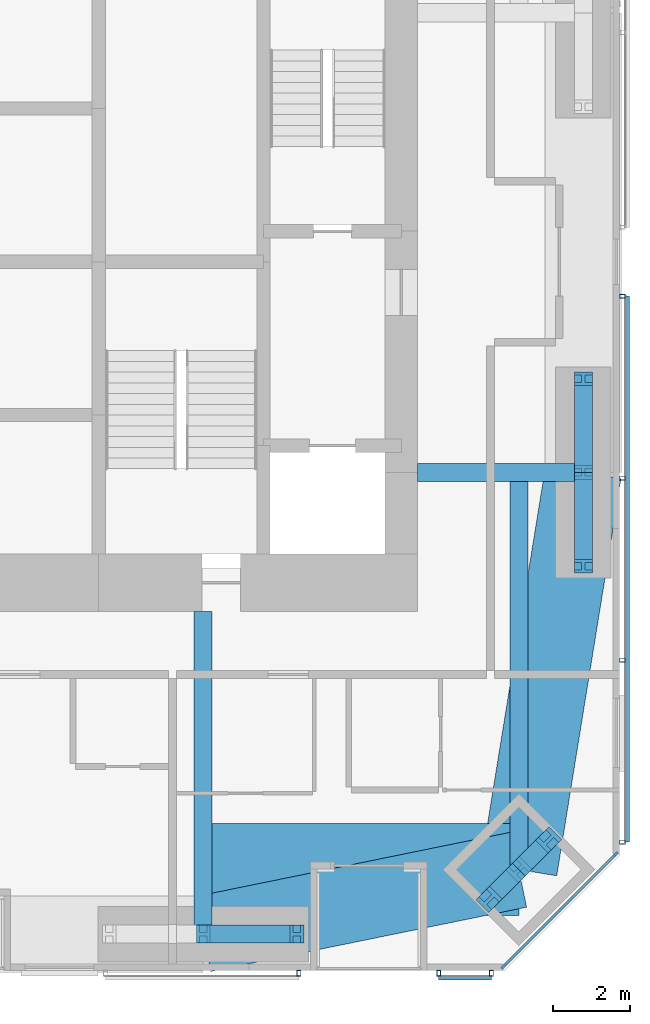
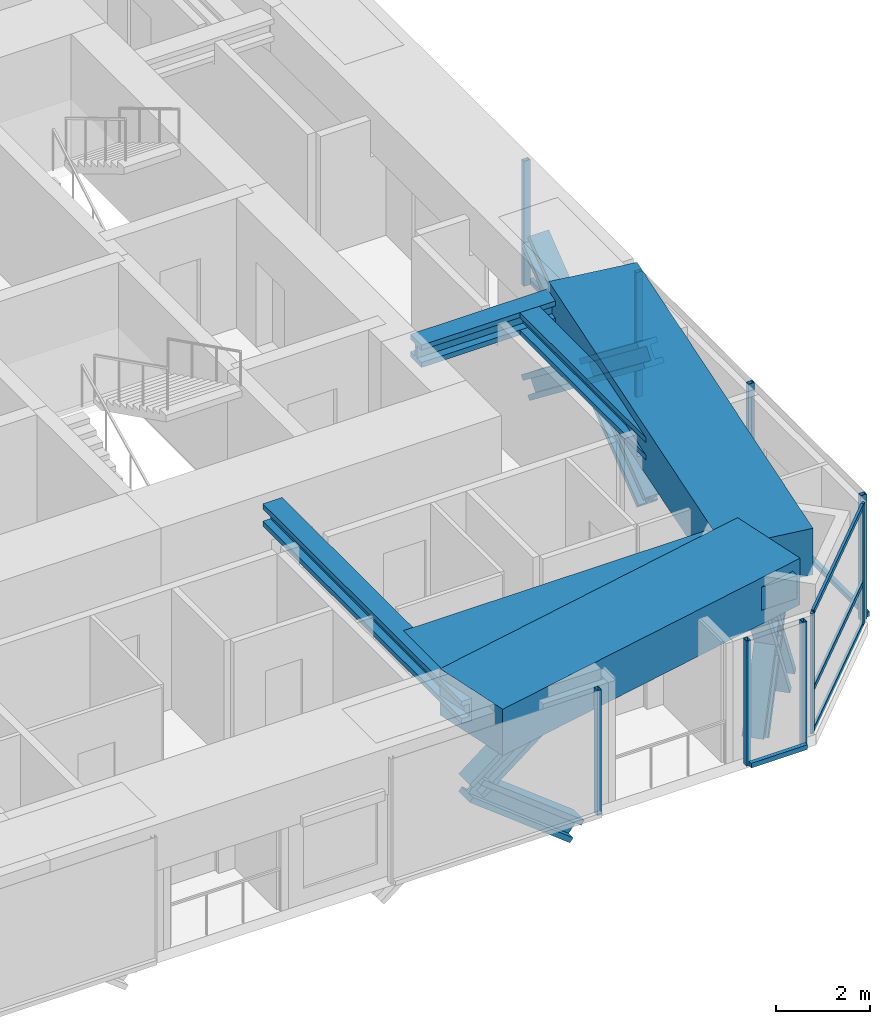
# One storey, part 8 of 23: 24 members, 6 beams, 4 elements without a shape of their own.
"""IFC4 building model written with IfcOpenShell, lengths in metres."""

from ifc_helpers import new_model, si_unit, direction, frame, origin, origin_2d, place, context, subcontext, project, spatial, rectangle, hollow_rectangle, i_section, extrude, material, material_profile, profile_set, type_object, element, aggregate, save


model = new_model("IFC4")

# Units and contexts
model_context = context("Model", 3, precision=1e-05, world=origin(), true_north=direction((0.0, 1.0)))
body_context = subcontext(model_context, "Body", "Model", "MODEL_VIEW")
ifc_project = project(units=[si_unit("LENGTHUNIT", "METRE"), si_unit("AREAUNIT", "SQUARE_METRE"), si_unit("VOLUMEUNIT", "CUBIC_METRE"), si_unit("PLANEANGLEUNIT", "RADIAN"), si_unit("MASSUNIT", "GRAM", prefix="KILO")], contexts=[model_context])

# Site, building, storey
site_placement = place(None, origin())
site = spatial("IfcSite", under=ifc_project, at=site_placement, CompositionType="ELEMENT")
building_placement = place(site_placement, origin())
building = spatial("IfcBuilding", under=site, at=building_placement, Name="Jalousie Tower", CompositionType="ELEMENT")
storey_placement = place(building_placement, frame((0.0, 0.0, 84.75)))
storey = spatial("IfcBuildingStorey", under=building, at=storey_placement, Name="L22", CompositionType="ELEMENT", Elevation=84.75)

# Curtain wall, members
ifc_material_1 = material(Name="Aluminium curtain wall", Category="aluminium")
curtain_wall_type_1 = type_object("IfcCurtainWallType", Name="CORNER WINDOW WALL", PredefinedType="USERDEFINED", material=ifc_material_1)
curtain_wall_1_placement = place(storey_placement, origin())
curtain_wall_1 = element("IfcCurtainWall", 1, at=curtain_wall_1_placement, inside=storey, type_object=curtain_wall_type_1, Name="Corner Window Wall L22 2", ObjectType="CORNER WINDOW WALL", PredefinedType="USERDEFINED")
ifc_material_2 = material(Name="Aluminium mullion", Category="aluminium")
ifc_material_profile_1 = material_profile(ifc_material_2, rectangle(XDim=0.06005859375, YDim=0.14990234375, at=origin_2d()), Name="MULLION 60x150")
ifc_profile_set_1 = profile_set([ifc_material_profile_1], Name="Aluminium mullion")
member_type_1 = type_object("IfcMemberType", Name="CORNER WINDOW WALL MULLION", PredefinedType="MULLION", material=ifc_profile_set_1)
member_1_placement = place(storey_placement, frame((46.469970703125, 0.108642578125, 0.0), z_axis=(0.0, 0.0, 1.0), x_axis=(-0.707106781187, 0.707106781187, 0.0)))
member_1 = element("IfcMember", 2, at=member_1_placement, type_object=member_type_1, Name="CW-C mullion 1", PredefinedType="MULLION", context=body_context, shape_type="SweptSolid", body=[
    extrude(rectangle(XDim=0.06005859375, YDim=0.14990234375, at=origin_2d()), origin(), (0.0, 0.0, 1.0), 3.110107421875),
])
member_2_placement = place(storey_placement, frame((49.391357421875, 3.030029296875, 0.0), z_axis=(0.0, 0.0, 1.0), x_axis=(-0.707106781187, 0.707106781187, 0.0)))
member_2 = element("IfcMember", 3, at=member_2_placement, type_object=member_type_1, Name="CW-C mullion 2", PredefinedType="MULLION", context=body_context, shape_type="SweptSolid", body=[
    extrude(rectangle(XDim=0.06005859375, YDim=0.14990234375, at=origin_2d()), origin(), (0.0, 0.0, 1.0), 3.110107421875),
])
ifc_material_3 = material(Name="Aluminium transom", Category="aluminium")
ifc_material_profile_2 = material_profile(ifc_material_3, rectangle(XDim=0.06005859375, YDim=0.1201171875, at=origin_2d()), Name="TRANSOM 60x120")
ifc_profile_set_2 = profile_set([ifc_material_profile_2], Name="Aluminium transom")
member_type_2 = type_object("IfcMemberType", Name="CORNER WINDOW WALL TRANSOM", PredefinedType="USERDEFINED", material=ifc_profile_set_2)
member_3_placement = place(storey_placement, frame((46.4912109375, 0.1298828125, 0.030029296875), z_axis=(0.707106781187, 0.707106781187, 0.0), x_axis=(-0.707106781187, 0.707106781187, 0.0)))
member_3 = element("IfcMember", 4, at=member_3_placement, type_object=member_type_2, Name="CW-C transom 1.1", ObjectType="TRANSOM", PredefinedType="USERDEFINED", context=body_context, shape_type="SweptSolid", body=[
    extrude(rectangle(XDim=0.06005859375, YDim=0.1201171875, at=origin_2d()), origin(), (0.0, 0.0, 1.0), 4.0712890625),
])
member_4_placement = place(storey_placement, frame((46.4912109375, 0.1298828125, 1.10009765625), z_axis=(0.707106781187, 0.707106781187, 0.0), x_axis=(-0.707106781187, 0.707106781187, 0.0)))
member_4 = element("IfcMember", 5, at=member_4_placement, type_object=member_type_2, Name="CW-C transom 1.2", ObjectType="TRANSOM", PredefinedType="USERDEFINED", context=body_context, shape_type="SweptSolid", body=[
    extrude(rectangle(XDim=0.06005859375, YDim=0.1201171875, at=origin_2d()), origin(), (0.0, 0.0, 1.0), 4.0712890625),
])
member_5_placement = place(storey_placement, frame((46.4912109375, 0.1298828125, 3.080078125), z_axis=(0.707106781187, 0.707106781187, 0.0), x_axis=(-0.707106781187, 0.707106781187, 0.0)))
member_5 = element("IfcMember", 6, at=member_5_placement, type_object=member_type_2, Name="CW-C transom 1.3", ObjectType="TRANSOM", PredefinedType="USERDEFINED", context=body_context, shape_type="SweptSolid", body=[
    extrude(rectangle(XDim=0.06005859375, YDim=0.1201171875, at=origin_2d()), origin(), (0.0, 0.0, 1.0), 4.0712890625),
])
aggregate(curtain_wall_1, [member_1, member_2, member_3, member_4, member_5])

# Beams
ifc_material_4 = material(Name="Steel ASTM A992 Grade 50", Category="steel")
ifc_material_profile_3 = material_profile(ifc_material_4, i_section(OverallWidth=0.472412109375, OverallDepth=0.5791015625, WebThickness=0.094970703125, FlangeThickness=0.1298828125, at=origin_2d()), Name="W14X808")
ifc_profile_set_3 = profile_set([ifc_material_profile_3], Name="Steel ASTM A992 Grade 50")
beam_type_1 = type_object("IfcBeamType", Name="LEAN COLLECTOR W14X808", PredefinedType="BEAM", material=ifc_profile_set_3)
beam_1_placement = place(storey_placement, frame((38.625, 0.949951171875, 2.8203125), z_axis=(0.0, 1.0, 0.0), x_axis=(-1.0, 0.0, 0.0)))
element("IfcBeam", 7, at=beam_1_placement, inside=storey, type_object=beam_type_1, Name="Lean collector under L23", PredefinedType="BEAM", context=body_context, shape_type="SweptSolid", body=[
    extrude(i_section(OverallWidth=0.472412109375, OverallDepth=0.5791015625, WebThickness=0.094970703125, FlangeThickness=0.1298828125, at=origin_2d()), origin(), (0.0, 0.0, 1.0), 8.425048828125),
])
beam_2_placement = place(storey_placement, frame((48.550048828125, 13.0, 2.8203125), z_axis=(-1.0, 0.0, 0.0), x_axis=(0.0, -1.0, 0.0)))
element("IfcBeam", 8, at=beam_2_placement, inside=storey, type_object=beam_type_1, Name="Lean collector under L23", PredefinedType="BEAM", context=body_context, shape_type="SweptSolid", body=[
    extrude(i_section(OverallWidth=0.472412109375, OverallDepth=0.5791015625, WebThickness=0.094970703125, FlangeThickness=0.1298828125, at=origin_2d()), origin(), (0.0, 0.0, 1.0), 4.324951171875),
])
beam_3_placement = place(storey_placement, frame((46.86865234375, 2.63134765625, 2.8203125), z_axis=(0.0, 1.0, 0.0), x_axis=(-1.0, 0.0, 0.0)))
element("IfcBeam", 9, at=beam_3_placement, inside=storey, type_object=beam_type_1, Name="Lean collector under L23", PredefinedType="BEAM", context=body_context, shape_type="SweptSolid", body=[
    extrude(i_section(OverallWidth=0.472412109375, OverallDepth=0.5791015625, WebThickness=0.094970703125, FlangeThickness=0.1298828125, at=origin_2d()), origin(), (0.0, 0.0, 1.0), 10.36865234375),
])

# Members
ifc_material_5 = material(Name="Steel ASTM A992 Grade 50", Category="steel")
ifc_material_profile_4 = material_profile(ifc_material_5, i_section(OverallWidth=0.472412109375, OverallDepth=0.5791015625, WebThickness=0.094970703125, FlangeThickness=0.1298828125, at=origin_2d()), Name="W14X808")
ifc_profile_set_4 = profile_set([ifc_material_profile_4], Name="Steel ASTM A992 Grade 50")
member_type_3 = type_object("IfcMemberType", Name="PERIMETER BRACE W14X808", PredefinedType="BRACE", material=ifc_profile_set_4)
for number, where, z_axis, x_axis, name in (
    (10, (38.625, 0.949951171875, 0.85009765625), (0.790229140184, 0.0, 0.612811476723), (0.0, 1.0, 0.0), "Perimeter brace 04 L22 part 2"),
    (11, (41.074951171875, 0.949951171875, -1.050048828125), (-0.790191006211, 0.0, 0.612860647866), (0.0, -1.0, 0.0), "Perimeter brace 04 L22 part 3"),
):
    element("IfcMember", number, at=place(storey_placement, frame(where, z_axis=z_axis, x_axis=x_axis)), inside=storey, type_object=member_type_3, Name=name, PredefinedType="BRACE", context=body_context, shape_type="SweptSolid", body=[
        extrude(i_section(OverallWidth=0.472412109375, OverallDepth=0.5791015625, WebThickness=0.094970703125, FlangeThickness=0.1298828125, at=origin_2d()), origin(), (0.0, 0.0, 1.0), 3.100341796875),
    ])
member_6_placement = place(storey_placement, frame((46.0908203125, 1.853515625, -1.050048828125), z_axis=(0.354270659018, 0.354270659018, 0.865438963947), x_axis=(-0.707106781187, 0.707106781187, 0.0)))
element("IfcMember", 12, at=member_6_placement, inside=storey, type_object=member_type_3, Name="Perimeter brace 05 L22 part 1", PredefinedType="BRACE", context=body_context, shape_type="SweptSolid", body=[
    extrude(i_section(OverallWidth=0.472412109375, OverallDepth=0.5791015625, WebThickness=0.094970703125, FlangeThickness=0.1298828125, at=origin_2d()), origin(), (0.0, 0.0, 1.0), 2.195556640625),
])
member_7_placement = place(storey_placement, frame((46.86865234375, 2.63134765625, 0.85009765625), z_axis=(0.354304754421, 0.354304754421, 0.865411047993), x_axis=(-0.707106781187, 0.707106781187, 0.0)))
element("IfcMember", 13, at=member_7_placement, inside=storey, type_object=member_type_3, Name="Perimeter brace 05 L22 part 2", PredefinedType="BRACE", context=body_context, shape_type="SweptSolid", body=[
    extrude(i_section(OverallWidth=0.472412109375, OverallDepth=0.5791015625, WebThickness=0.094970703125, FlangeThickness=0.1298828125, at=origin_2d()), origin(), (0.0, 0.0, 1.0), 2.1953125),
])
member_8_placement = place(storey_placement, frame((47.646484375, 3.4091796875, -1.050048828125), z_axis=(-0.354270659018, -0.354270659018, 0.865438963947), x_axis=(0.707106781187, -0.707106781187, 0.0)))
element("IfcMember", 14, at=member_8_placement, inside=storey, type_object=member_type_3, Name="Perimeter brace 05 L22 part 3", PredefinedType="BRACE", context=body_context, shape_type="SweptSolid", body=[
    extrude(i_section(OverallWidth=0.472412109375, OverallDepth=0.5791015625, WebThickness=0.094970703125, FlangeThickness=0.1298828125, at=origin_2d()), origin(), (0.0, 0.0, 1.0), 2.195556640625),
])
member_9_placement = place(storey_placement, frame((46.86865234375, 2.63134765625, 0.85009765625), z_axis=(-0.354304754421, -0.354304754421, 0.865411047993), x_axis=(0.707106781187, -0.707106781187, 0.0)))
element("IfcMember", 15, at=member_9_placement, inside=storey, type_object=member_type_3, Name="Perimeter brace 05 L22 part 4", PredefinedType="BRACE", context=body_context, shape_type="SweptSolid", body=[
    extrude(i_section(OverallWidth=0.472412109375, OverallDepth=0.5791015625, WebThickness=0.094970703125, FlangeThickness=0.1298828125, at=origin_2d()), origin(), (0.0, 0.0, 1.0), 2.1953125),
])
for number, where, z_axis, x_axis, name in (
    (16, (48.550048828125, 10.550048828125, -1.050048828125), (0.0, 0.790191006211, 0.612860647866), (-1.0, 0.0, 0.0), "Perimeter brace 06 L22 part 1"),
    (17, (48.550048828125, 13.0, 0.85009765625), (0.0, 0.790229140184, 0.612811476723), (-1.0, 0.0, 0.0), "Perimeter brace 06 L22 part 2"),
    (18, (48.550048828125, 15.449951171875, -1.050048828125), (0.0, -0.790191006211, 0.612860647866), (1.0, 0.0, 0.0), "Perimeter brace 06 L22 part 3"),
    (19, (48.550048828125, 13.0, 0.85009765625), (0.0, -0.790229140184, 0.612811476723), (1.0, 0.0, 0.0), "Perimeter brace 06 L22 part 4"),
):
    element("IfcMember", number, at=place(storey_placement, frame(where, z_axis=z_axis, x_axis=x_axis)), inside=storey, type_object=member_type_3, Name=name, PredefinedType="BRACE", context=body_context, shape_type="SweptSolid", body=[
        extrude(i_section(OverallWidth=0.472412109375, OverallDepth=0.5791015625, WebThickness=0.094970703125, FlangeThickness=0.1298828125, at=origin_2d()), origin(), (0.0, 0.0, 1.0), 3.100341796875),
    ])

# Beams
ifc_material_6 = material(Name="Concrete f'c 40 MPa", Category="concrete")
ifc_material_profile_5 = material_profile(ifc_material_6, rectangle(XDim=2.0, YDim=1.199951171875, at=origin_2d()), Name="RC 2000x1200")
ifc_profile_set_5 = profile_set([ifc_material_profile_5], Name="Concrete f'c 40 MPa")
beam_type_2 = type_object("IfcBeamType", Name="RC BEAM 2000x1200", PredefinedType="BEAM", material=ifc_profile_set_5)
beam_4_placement = place(storey_placement, frame((38.625, 0.949951171875, 2.75), z_axis=(0.97982690954, 0.199848010602, 0.0), x_axis=(-0.199848010602, 0.97982690954, 0.0)))
element("IfcBeam", 20, at=beam_4_placement, inside=storey, type_object=beam_type_2, Name="Edge band beam 04-05 under L23", PredefinedType="BEAM", context=body_context, shape_type="SweptSolid", body=[
    extrude(rectangle(XDim=2.0, YDim=1.199951171875, at=origin_2d()), origin(), (0.0, 0.0, 1.0), 8.413330078125),
])
beam_5_placement = place(storey_placement, frame((46.86865234375, 2.63134765625, 2.75), z_axis=(0.160070546476, 0.987105577003, 0.0), x_axis=(-0.987105577003, 0.160070546476, 0.0)))
element("IfcBeam", 21, at=beam_5_placement, inside=storey, type_object=beam_type_2, Name="Edge band beam 05-06 under L23", PredefinedType="BEAM", context=body_context, shape_type="SweptSolid", body=[
    extrude(rectangle(XDim=2.0, YDim=1.199951171875, at=origin_2d()), origin(), (0.0, 0.0, 1.0), 10.504150390625),
])
ifc_material_7 = material(Name="Concrete f'c 40 MPa", Category="concrete")
ifc_material_profile_6 = material_profile(ifc_material_7, rectangle(XDim=2.39990234375, YDim=0.60009765625, at=origin_2d()), Name="RC 2400x600")
ifc_profile_set_6 = profile_set([ifc_material_profile_6], Name="Concrete f'c 40 MPa")
beam_type_3 = type_object("IfcBeamType", Name="RC BEAM 2400x600", PredefinedType="BEAM", material=ifc_profile_set_6)
beam_6_placement = place(storey_placement, frame((46.86865234375, 2.63134765625, 2.81005859375), z_axis=(-1.0, 0.0, 0.0), x_axis=(0.0, -1.0, 0.0)))
element("IfcBeam", 22, at=beam_6_placement, inside=storey, type_object=beam_type_3, Name="Floor band beam under L23", PredefinedType="BEAM", context=body_context, shape_type="SweptSolid", body=[
    extrude(rectangle(XDim=2.39990234375, YDim=0.60009765625, at=origin_2d()), origin(), (0.0, 0.0, 1.0), 8.24365234375),
])

# Curtain wall, member
ifc_material_8 = material(Name="Perforated aluminium sheet", Category="aluminium")
curtain_wall_type_2 = type_object("IfcCurtainWallType", Name="SOLAR SCREEN SS-1", PredefinedType="USERDEFINED", material=ifc_material_8)
curtain_wall_2_placement = place(storey_placement, origin())
curtain_wall_2 = element("IfcCurtainWall", 23, at=curtain_wall_2_placement, inside=storey, type_object=curtain_wall_type_2, Name="Solar screen L22", ObjectType="SOLAR SCREEN SS-1", PredefinedType="USERDEFINED")
ifc_material_9 = material(Name="Steel ASTM A500 Grade C", Category="steel")
ifc_material_profile_7 = material_profile(ifc_material_9, hollow_rectangle(XDim=0.1015625, YDim=0.15234375, WallThickness=0.00634765625, at=origin_2d()), Name="HSS6X4X1/4")
ifc_profile_set_7 = profile_set([ifc_material_profile_7], Name="Steel ASTM A500 Grade C")
member_type_4 = type_object("IfcMemberType", Name="SOLAR SCREEN SS-1 MULLION", PredefinedType="MULLION", material=ifc_profile_set_7)
member_10_placement = place(storey_placement, frame((41.125, -0.0712890625, -0.1201171875), z_axis=(0.0, 0.0, 1.0), x_axis=(1.0, 0.0, 0.0)))
member_10 = element("IfcMember", 24, at=member_10_placement, type_object=member_type_4, Name="SS1 post 2", PredefinedType="MULLION", context=body_context, shape_type="SweptSolid", body=[
    extrude(hollow_rectangle(XDim=0.1015625, YDim=0.15234375, WallThickness=0.00634765625, at=origin_2d()), origin(), (0.0, 0.0, 1.0), 3.230224609375),
])
aggregate(curtain_wall_2, [member_10])

# Curtain wall, members
curtain_wall_3_placement = place(storey_placement, origin())
curtain_wall_3 = element("IfcCurtainWall", 25, at=curtain_wall_3_placement, inside=storey, type_object=curtain_wall_type_2, Name="Solar screen L22", ObjectType="SOLAR SCREEN SS-1", PredefinedType="USERDEFINED")
member_11_placement = place(storey_placement, frame((44.77490234375, -0.0712890625, -0.1201171875), z_axis=(0.0, 0.0, 1.0), x_axis=(1.0, 0.0, 0.0)))
member_11 = element("IfcMember", 26, at=member_11_placement, type_object=member_type_4, Name="SS1 post 1", PredefinedType="MULLION", context=body_context, shape_type="SweptSolid", body=[
    extrude(hollow_rectangle(XDim=0.1015625, YDim=0.15234375, WallThickness=0.00634765625, at=origin_2d()), origin(), (0.0, 0.0, 1.0), 3.230224609375),
])
member_12_placement = place(storey_placement, frame((46.148681640625, -0.0712890625, -0.1201171875), z_axis=(0.0, 0.0, 1.0), x_axis=(1.0, 0.0, 0.0)))
member_12 = element("IfcMember", 27, at=member_12_placement, type_object=member_type_4, Name="SS1 post 2", PredefinedType="MULLION", context=body_context, shape_type="SweptSolid", body=[
    extrude(hollow_rectangle(XDim=0.1015625, YDim=0.15234375, WallThickness=0.00634765625, at=origin_2d()), origin(), (0.0, 0.0, 1.0), 3.230224609375),
])

curtain_wall_4_placement = place(storey_placement, origin())
curtain_wall_4 = element("IfcCurtainWall", 28, at=curtain_wall_4_placement, inside=storey, type_object=curtain_wall_type_2, Name="Solar screen L22", ObjectType="SOLAR SCREEN SS-1", PredefinedType="USERDEFINED")
member_13_placement = place(storey_placement, frame((49.5712890625, 3.351318359375, -0.1201171875), z_axis=(0.0, 0.0, 1.0), x_axis=(0.0, 1.0, 0.0)))
member_13 = element("IfcMember", 29, at=member_13_placement, type_object=member_type_4, Name="SS1 post 1", PredefinedType="MULLION", context=body_context, shape_type="SweptSolid", body=[
    extrude(hollow_rectangle(XDim=0.1015625, YDim=0.15234375, WallThickness=0.00634765625, at=origin_2d()), origin(), (0.0, 0.0, 1.0), 3.230224609375),
])
member_14_placement = place(storey_placement, frame((49.5712890625, 8.100830078125, -0.1201171875), z_axis=(0.0, 0.0, 1.0), x_axis=(0.0, 1.0, 0.0)))
member_14 = element("IfcMember", 30, at=member_14_placement, type_object=member_type_4, Name="SS1 post 2", PredefinedType="MULLION", context=body_context, shape_type="SweptSolid", body=[
    extrude(hollow_rectangle(XDim=0.1015625, YDim=0.15234375, WallThickness=0.00634765625, at=origin_2d()), origin(), (0.0, 0.0, 1.0), 3.230224609375),
])
member_15_placement = place(storey_placement, frame((49.5712890625, 12.850341796875, -0.1201171875), z_axis=(0.0, 0.0, 1.0), x_axis=(0.0, 1.0, 0.0)))
member_15 = element("IfcMember", 31, at=member_15_placement, type_object=member_type_4, Name="SS1 post 3", PredefinedType="MULLION", context=body_context, shape_type="SweptSolid", body=[
    extrude(hollow_rectangle(XDim=0.1015625, YDim=0.15234375, WallThickness=0.00634765625, at=origin_2d()), origin(), (0.0, 0.0, 1.0), 3.230224609375),
])
member_16_placement = place(storey_placement, frame((49.5712890625, 17.60009765625, -0.1201171875), z_axis=(0.0, 0.0, 1.0), x_axis=(0.0, 1.0, 0.0)))
member_16 = element("IfcMember", 32, at=member_16_placement, type_object=member_type_4, Name="SS1 post 4", PredefinedType="MULLION", context=body_context, shape_type="SweptSolid", body=[
    extrude(hollow_rectangle(XDim=0.1015625, YDim=0.15234375, WallThickness=0.00634765625, at=origin_2d()), origin(), (0.0, 0.0, 1.0), 3.230224609375),
])

# Member
ifc_material_10 = material(Name="Extruded aluminium screen rail", Category="aluminium")
ifc_material_profile_8 = material_profile(ifc_material_10, rectangle(XDim=0.1015625, YDim=0.1201171875, at=origin_2d()), Name="RAIL 102x120")
ifc_profile_set_8 = profile_set([ifc_material_profile_8], Name="Extruded aluminium screen rail")
member_type_5 = type_object("IfcMemberType", Name="SOLAR SCREEN SS-1 TRANSOM", PredefinedType="USERDEFINED", material=ifc_profile_set_8)
member_17_placement = place(storey_placement, frame((44.77490234375, -0.1982421875, -0.06005859375), z_axis=(1.0, 0.0, 0.0), x_axis=(0.0, 1.0, 0.0)))
member_17 = element("IfcMember", 33, at=member_17_placement, type_object=member_type_5, Name="SS1 rail", ObjectType="TRANSOM", PredefinedType="USERDEFINED", context=body_context, shape_type="SweptSolid", body=[
    extrude(rectangle(XDim=0.1015625, YDim=0.1201171875, at=origin_2d()), origin(), (0.0, 0.0, 1.0), 1.373779296875),
])

aggregate(curtain_wall_3, [member_11, member_12, member_17])

member_18_placement = place(storey_placement, frame((49.6982421875, 3.351318359375, -0.06005859375), z_axis=(0.0, 1.0, 0.0), x_axis=(-1.0, 0.0, 0.0)))
member_18 = element("IfcMember", 34, at=member_18_placement, type_object=member_type_5, Name="SS1 rail", ObjectType="TRANSOM", PredefinedType="USERDEFINED", context=body_context, shape_type="SweptSolid", body=[
    extrude(rectangle(XDim=0.1015625, YDim=0.1201171875, at=origin_2d()), origin(), (0.0, 0.0, 1.0), 14.248779296875),
])

aggregate(curtain_wall_4, [member_13, member_14, member_15, member_16, member_18])

save(model, "model.ifc")
